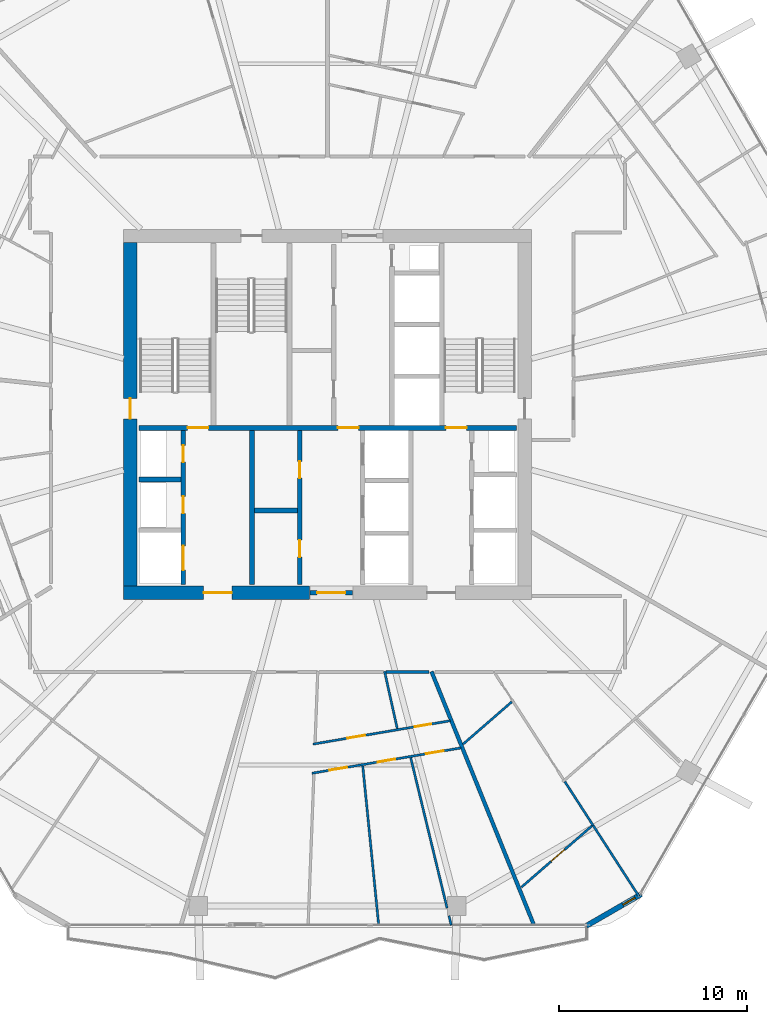
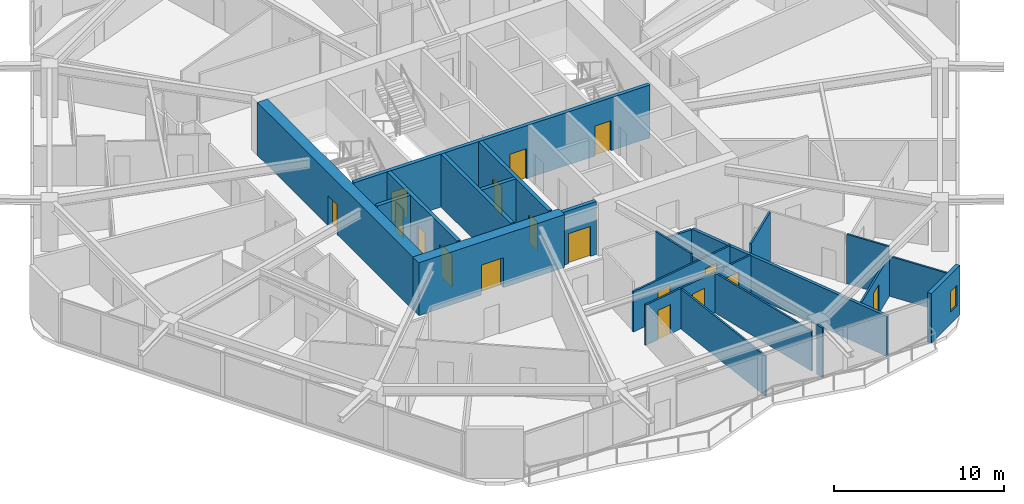
# One storey, part 18 of 25: 22 walls, 17 doors, 1 window, 18 openings.
"""IFC4 building model written with IfcOpenShell, lengths in metres."""

from ifc_helpers import new_model, si_unit, direction, frame, frame_2d, origin, place, context, subcontext, project, spatial, rectangle, extrude, material, layer, layer_set, type_object, element, fill, save


model = new_model("IFC4")

# Units and contexts
model_context = context("Model", 3, precision=1e-05, world=origin(), true_north=direction((0.0, 1.0)))
body_context = subcontext(model_context, "Body", "Model", "MODEL_VIEW")
ifc_project = project(units=[si_unit("LENGTHUNIT", "METRE"), si_unit("AREAUNIT", "SQUARE_METRE"), si_unit("VOLUMEUNIT", "CUBIC_METRE"), si_unit("PLANEANGLEUNIT", "RADIAN"), si_unit("MASSUNIT", "GRAM", prefix="KILO")], contexts=[model_context])

# Site, building, storey
site_placement = place(None, origin())
site = spatial("IfcSite", under=ifc_project, at=site_placement, CompositionType="ELEMENT")
building_placement = place(site_placement, origin())
building = spatial("IfcBuilding", under=site, at=building_placement, Name="Zuhravey Tower", CompositionType="ELEMENT")
storey_placement = place(building_placement, frame((0.0, 0.0, 150.39990234375)))
storey = spatial("IfcBuildingStorey", under=building, at=storey_placement, Name="L37", CompositionType="ELEMENT", Elevation=150.39990234375)

# Wall, opening, door
ifc_material_1 = material(Name="Concrete C60/75", Category="concrete")
ifc_layer_1 = layer(ifc_material_1, 0.699951171875)
ifc_layer_set_1 = layer_set([ifc_layer_1], Name="Concrete C60/75")
wall_type_1 = type_object("IfcWallType", Name="Core Shear Wall 700", PredefinedType="SHEAR", material=ifc_layer_set_1)
wall_1_placement = place(storey_placement, frame((25.14990234375, 22.5, 0.0), z_axis=(0.0, 0.0, 1.0), x_axis=(1.0, 0.0, 0.0)))
wall_1 = element("IfcWall", 1, at=wall_1_placement, inside=storey, type_object=wall_type_1, Name="L37 South-West Core Shear Wall CW70", PredefinedType="SHEAR", context=body_context, shape_type="SweptSolid", body=[
    extrude(rectangle(XDim=9.900146484375, YDim=0.699951171875, at=frame_2d((4.9501953125, 0.0))), origin(), (0.0, 0.0, 1.0), 3.800048828125),
])
opening_1_placement = place(wall_1_placement, frame((4.25, 0.0, 0.0)))
opening_1 = element("IfcOpeningElement", 2, at=opening_1_placement, cuts=wall_1, Name="Opening FFD1", PredefinedType="OPENING", context=body_context, shape_type="SweptSolid", body=[
    extrude(rectangle(XDim=1.5, YDim=2.14990234375, at=frame_2d((0.75, 1.074951171875))), frame((0.0, 0.362060546875, 0.0), z_axis=(0.0, -1.0, 0.0), x_axis=(1.0, 0.0, 0.0)), (0.0, 0.0, 1.0), 0.723876953125),
])
ifc_material_2 = material(Name="Galvanised fire-rated steel leaf", Category="steel")
door_type_1 = type_object("IfcDoorType", Name="Firefighting Lobby Double Door 1500x2150", OperationType="DOUBLE_DOOR_SINGLE_SWING", PredefinedType="DOOR", material=ifc_material_2)
door_1_placement = place(opening_1_placement, origin())
door_1 = element("IfcDoor", 3, at=door_1_placement, inside=storey, type_object=door_type_1, Name="L37 Firefighting Lobby West Door", OperationType="DOUBLE_DOOR_SINGLE_SWING", OverallHeight=2.14990234375, OverallWidth=1.5, PredefinedType="DOOR", context=body_context, shape_type="SweptSolid", body=[
    extrude(rectangle(XDim=1.5, YDim=2.14990234375, at=frame_2d((0.75, 1.074951171875))), frame((0.0, 0.02490234375, 0.0), z_axis=(0.0, -1.0, 0.0), x_axis=(1.0, 0.0, 0.0)), (0.0, 0.0, 1.0), 0.050048828125),
])
fill(opening_1, door_1)

wall_2_placement = place(storey_placement, frame((25.5, 22.85009765625, 0.0), z_axis=(0.0, 0.0, 1.0), x_axis=(0.0, 1.0, 0.0)))
wall_2 = element("IfcWall", 4, at=wall_2_placement, inside=storey, type_object=wall_type_1, Name="L37 West Core Shear Wall CW70", PredefinedType="SHEAR", context=body_context, shape_type="SweptSolid", body=[
    extrude(rectangle(XDim=18.2998046875, YDim=0.699951171875, at=frame_2d((9.14990234375, 0.0))), origin(), (0.0, 0.0, 1.0), 3.800048828125),
])
opening_2_placement = place(wall_2_placement, frame((8.89990234375, 0.0, 0.0)))
opening_2 = element("IfcOpeningElement", 5, at=opening_2_placement, cuts=wall_2, Name="Opening STD1", PredefinedType="OPENING", context=body_context, shape_type="SweptSolid", body=[
    extrude(rectangle(XDim=1.10009765625, YDim=2.14990234375, at=frame_2d((0.550048828125, 1.074951171875))), frame((0.0, 0.362060546875, 0.0), z_axis=(0.0, -1.0, 0.0), x_axis=(1.0, 0.0, 0.0)), (0.0, 0.0, 1.0), 0.723876953125),
])
door_type_2 = type_object("IfcDoorType", Name="Protected Stair Fire Door 1100x2150", OperationType="NOTDEFINED", PredefinedType="USERDEFINED", material=ifc_material_2)
door_2_placement = place(opening_2_placement, frame((1.10009765625, 0.0, 0.0), z_axis=(0.0, 0.0, 1.0), x_axis=(-1.0, 0.0, 0.0)))
door_2 = element("IfcDoor", 6, at=door_2_placement, inside=storey, type_object=door_type_2, Name="L37 Stair ST1 Door", ObjectType="EXITDOOR", OperationType="SINGLE_SWING_LEFT", OverallHeight=2.14990234375, OverallWidth=1.10009765625, PredefinedType="USERDEFINED", context=body_context, shape_type="SweptSolid", body=[
    extrude(rectangle(XDim=1.10009765625, YDim=2.14990234375, at=frame_2d((0.550048828125, 1.074951171875))), frame((0.0, 0.02490234375, 0.0), z_axis=(0.0, -1.0, 0.0), x_axis=(1.0, 0.0, 0.0)), (0.0, 0.0, 1.0), 0.050048828125),
])
fill(opening_2, door_2)

# Wall
ifc_material_3 = material(Name="Gypsum fire-rated stud partition")
ifc_layer_2 = layer(ifc_material_3, 0.159912109375)
ifc_layer_set_2 = layer_set([ifc_layer_2], Name="Gypsum fire-rated stud partition")
wall_type_2 = type_object("IfcWallType", Name="Corridor Fire Partition 160", PredefinedType="PARTITIONING", material=ifc_layer_set_2)
wall_3_placement = place(storey_placement, frame((39.114013671875, 18.27001953125, 0.0), z_axis=(0.0, 0.0, 1.0), x_axis=(1.0, 0.0, 0.0)))
element("IfcWall", 7, at=wall_3_placement, inside=storey, type_object=wall_type_2, Name="L37 IW16 Partition 128", PredefinedType="PARTITIONING", context=body_context, shape_type="SweptSolid", body=[
    extrude(rectangle(XDim=2.27294921875, YDim=0.159912109375, at=frame_2d((1.136474609375, 0.0))), origin(), (0.0, 0.0, 1.0), 2.900146484375),
])

# Wall, opening, window
ifc_material_4 = material(Name="Precast concrete C40/50", Category="concrete")
ifc_layer_3 = layer(ifc_material_4, 0.280029296875)
ifc_layer_set_3 = layer_set([ifc_layer_3], Name="Precast concrete C40/50")
wall_type_3 = type_object("IfcWallType", Name="Crown Architectural Wall 280", PredefinedType="SOLIDWALL", material=ifc_layer_set_3)
wall_4_placement = place(storey_placement, frame((52.693115234375, 6.451904296875, 0.0), z_axis=(0.0, 0.0, 1.0), x_axis=(-0.866020068361, -0.500009241111, 0.0)))
wall_4 = element("IfcWall", 8, at=wall_4_placement, inside=storey, type_object=wall_type_3, Name="L37 Rounded Corner Closure Wall EW28-02", PredefinedType="SOLIDWALL", context=body_context, shape_type="SweptSolid", body=[
    extrude(rectangle(XDim=3.365234375, YDim=0.280029296875, at=frame_2d((1.6826171875, 0.0))), origin(), (0.0, 0.0, 1.0), 3.550048828125),
])
opening_3_placement = place(wall_4_placement, frame((0.375244140625, 0.0, 0.85009765625)))
opening_3 = element("IfcOpeningElement", 9, at=opening_3_placement, cuts=wall_4, Name="Opening WN5", PredefinedType="OPENING", context=body_context, shape_type="SweptSolid", body=[
    extrude(rectangle(XDim=0.75, YDim=1.5, at=frame_2d((0.375, 0.75))), frame((0.0, 0.152099609375, 0.0), z_axis=(0.0, -1.0, 0.0), x_axis=(1.0, 0.0, 0.0)), (0.0, 0.0, 1.0), 0.303955078125),
])
ifc_material_5 = material(Name="Thermally broken aluminium and triple low-E glass", Category="aluminium")
window_type = type_object("IfcWindowType", Name="Residential Corner Casement Window 750x1500", PartitioningType="SINGLE_PANEL", PredefinedType="WINDOW", material=ifc_material_5)
window_placement = place(opening_3_placement, origin())
window = element("IfcWindow", 10, at=window_placement, inside=storey, type_object=window_type, Name="L37 Corner Casement Window WN5-02.1", OverallHeight=1.5, OverallWidth=0.75, PartitioningType="SINGLE_PANEL", PredefinedType="WINDOW", context=body_context, shape_type="SweptSolid", body=[
    extrude(rectangle(XDim=0.75, YDim=1.5, at=frame_2d((0.375, 0.75))), frame((0.0, 0.030029296875, 0.0), z_axis=(0.0, -1.0, 0.0), x_axis=(1.0, 0.0, 0.0)), (0.0, 0.0, 1.0), 0.06005859375),
])
fill(opening_3, window)

# Wall, opening, door
ifc_material_6 = material(Name="Concrete C50/60", Category="concrete")
ifc_layer_4 = layer(ifc_material_6, 0.25)
ifc_layer_set_4 = layer_set([ifc_layer_4], Name="Concrete C50/60")
wall_type_4 = type_object("IfcWallType", Name="Firefighting Shaft & Stair Wall 250", PredefinedType="SOLIDWALL", material=ifc_layer_set_4)
wall_5_placement = place(storey_placement, frame((35.06005859375, 22.5, 0.0), z_axis=(0.0, 0.0, 1.0), x_axis=(1.0, 0.0, 0.0)))
wall_5 = element("IfcWall", 11, at=wall_5_placement, inside=storey, type_object=wall_type_4, Name="L37 FW25 Shaft Wall 001", PredefinedType="SOLIDWALL", context=body_context, shape_type="SweptSolid", body=[
    extrude(rectangle(XDim=2.280029296875, YDim=0.25, at=frame_2d((1.14013671875, 0.0))), origin(), (0.0, 0.0, 1.0), 3.800048828125),
])
opening_4_placement = place(wall_5_placement, frame((0.389892578125, 0.0, 0.0)))
opening_4 = element("IfcOpeningElement", 12, at=opening_4_placement, cuts=wall_5, Name="Opening FFD1", PredefinedType="OPENING", context=body_context, shape_type="SweptSolid", body=[
    extrude(rectangle(XDim=1.5, YDim=2.14990234375, at=frame_2d((0.75, 1.074951171875))), frame((0.0, 0.136962890625, 0.0), z_axis=(0.0, -1.0, 0.0), x_axis=(1.0, 0.0, 0.0)), (0.0, 0.0, 1.0), 0.27392578125),
])
door_3_placement = place(opening_4_placement, frame((1.5, 0.0, 0.0), z_axis=(0.0, 0.0, 1.0), x_axis=(-1.0, 0.0, 0.0)))
door_3 = element("IfcDoor", 13, at=door_3_placement, inside=storey, type_object=door_type_1, Name="L37 South Lift Lobby Exit Door", OperationType="DOUBLE_DOOR_SINGLE_SWING", OverallHeight=2.14990234375, OverallWidth=1.5, PredefinedType="DOOR", context=body_context, shape_type="SweptSolid", body=[
    extrude(rectangle(XDim=1.5, YDim=2.14990234375, at=frame_2d((0.75, 1.074951171875))), frame((0.0, 0.02490234375, 0.0), z_axis=(0.0, -1.0, 0.0), x_axis=(1.0, 0.0, 0.0)), (0.0, 0.0, 1.0), 0.050048828125),
])
fill(opening_4, door_3)

# Wall, openings, doors
wall_6_placement = place(storey_placement, frame((25.949951171875, 31.27490234375, 0.0), z_axis=(0.0, 0.0, 1.0), x_axis=(1.0, 0.0, 0.0)))
wall_6 = element("IfcWall", 14, at=wall_6_placement, inside=storey, type_object=wall_type_4, Name="L37 FW25 Shaft Wall 003", PredefinedType="SOLIDWALL", context=body_context, shape_type="SweptSolid", body=[
    extrude(rectangle(XDim=20.10009765625, YDim=0.25, at=frame_2d((10.050048828125, 0.0))), origin(), (0.0, 0.0, 1.0), 3.800048828125),
])
opening_5_placement = place(wall_6_placement, frame((2.60009765625, 0.0, 0.0)))
opening_5 = element("IfcOpeningElement", 15, at=opening_5_placement, cuts=wall_6, Name="Opening STD1", PredefinedType="OPENING", context=body_context, shape_type="SweptSolid", body=[
    extrude(rectangle(XDim=1.10009765625, YDim=2.14990234375, at=frame_2d((0.550048828125, 1.074951171875))), frame((0.0, 0.136962890625, 0.0), z_axis=(0.0, -1.0, 0.0), x_axis=(1.0, 0.0, 0.0)), (0.0, 0.0, 1.0), 0.27392578125),
])
opening_6_placement = place(wall_6_placement, frame((10.60009765625, 0.0, 0.0)))
opening_6 = element("IfcOpeningElement", 16, at=opening_6_placement, cuts=wall_6, Name="Opening STD1", PredefinedType="OPENING", context=body_context, shape_type="SweptSolid", body=[
    extrude(rectangle(XDim=1.10009765625, YDim=2.14990234375, at=frame_2d((0.550048828125, 1.074951171875))), frame((0.0, 0.136962890625, 0.0), z_axis=(0.0, -1.0, 0.0), x_axis=(1.0, 0.0, 0.0)), (0.0, 0.0, 1.0), 0.27392578125),
])
opening_7_placement = place(wall_6_placement, frame((16.35009765625, 0.0, 0.0)))
opening_7 = element("IfcOpeningElement", 17, at=opening_7_placement, cuts=wall_6, Name="Opening STD1", PredefinedType="OPENING", context=body_context, shape_type="SweptSolid", body=[
    extrude(rectangle(XDim=1.10009765625, YDim=2.14990234375, at=frame_2d((0.550048828125, 1.074951171875))), frame((0.0, 0.136962890625, 0.0), z_axis=(0.0, -1.0, 0.0), x_axis=(1.0, 0.0, 0.0)), (0.0, 0.0, 1.0), 0.27392578125),
])
door_4_placement = place(opening_5_placement, origin())
door_4 = element("IfcDoor", 18, at=door_4_placement, inside=storey, type_object=door_type_2, Name="L37 FFL-W to ST1 Door", ObjectType="EXITDOOR", OperationType="SINGLE_SWING_RIGHT", OverallHeight=2.14990234375, OverallWidth=1.10009765625, PredefinedType="USERDEFINED", context=body_context, shape_type="SweptSolid", body=[
    extrude(rectangle(XDim=1.10009765625, YDim=2.14990234375, at=frame_2d((0.550048828125, 1.074951171875))), frame((0.0, 0.02490234375, 0.0), z_axis=(0.0, -1.0, 0.0), x_axis=(1.0, 0.0, 0.0)), (0.0, 0.0, 1.0), 0.050048828125),
])
fill(opening_5, door_4)
door_5_placement = place(opening_6_placement, origin())
door_5 = element("IfcDoor", 19, at=door_5_placement, inside=storey, type_object=door_type_2, Name="L37 Core Lobby Link Door", ObjectType="EXITDOOR", OperationType="SINGLE_SWING_LEFT", OverallHeight=2.14990234375, OverallWidth=1.10009765625, PredefinedType="USERDEFINED", context=body_context, shape_type="SweptSolid", body=[
    extrude(rectangle(XDim=1.10009765625, YDim=2.14990234375, at=frame_2d((0.550048828125, 1.074951171875))), frame((0.0, 0.02490234375, 0.0), z_axis=(0.0, -1.0, 0.0), x_axis=(1.0, 0.0, 0.0)), (0.0, 0.0, 1.0), 0.050048828125),
])
fill(opening_6, door_5)
door_6_placement = place(opening_7_placement, origin())
door_6 = element("IfcDoor", 20, at=door_6_placement, inside=storey, type_object=door_type_2, Name="L37 FFL-E to ST2 Door", ObjectType="EXITDOOR", OperationType="SINGLE_SWING_RIGHT", OverallHeight=2.14990234375, OverallWidth=1.10009765625, PredefinedType="USERDEFINED", context=body_context, shape_type="SweptSolid", body=[
    extrude(rectangle(XDim=1.10009765625, YDim=2.14990234375, at=frame_2d((0.550048828125, 1.074951171875))), frame((0.0, 0.02490234375, 0.0), z_axis=(0.0, -1.0, 0.0), x_axis=(1.0, 0.0, 0.0)), (0.0, 0.0, 1.0), 0.050048828125),
])
fill(opening_7, door_6)

# Wall
wall_7_placement = place(storey_placement, frame((25.949951171875, 28.52490234375, 0.0), z_axis=(0.0, 0.0, 1.0), x_axis=(1.0, 0.0, 0.0)))
element("IfcWall", 21, at=wall_7_placement, inside=storey, type_object=wall_type_4, Name="L37 FW25 Shaft Wall 010", PredefinedType="SOLIDWALL", context=body_context, shape_type="SweptSolid", body=[
    extrude(rectangle(XDim=2.25, YDim=0.25, at=frame_2d((1.125, 0.0))), origin(), (0.0, 0.0, 1.0), 3.800048828125),
])

# Wall, openings, doors
wall_8_placement = place(storey_placement, frame((28.324951171875, 22.949951171875, 0.0), z_axis=(0.0, 0.0, 1.0), x_axis=(0.0, 1.0, 0.0)))
wall_8 = element("IfcWall", 22, at=wall_8_placement, inside=storey, type_object=wall_type_4, Name="L37 FW25 Shaft Wall 011", PredefinedType="SOLIDWALL", context=body_context, shape_type="SweptSolid", body=[
    extrude(rectangle(XDim=8.199951171875, YDim=0.25, at=frame_2d((4.10009765625, 0.0))), origin(), (0.0, 0.0, 1.0), 3.800048828125),
])
opening_8_placement = place(wall_8_placement, frame((0.75, 0.0, 0.0)))
opening_8 = element("IfcOpeningElement", 23, at=opening_8_placement, cuts=wall_8, Name="Opening LD2", PredefinedType="OPENING", context=body_context, shape_type="SweptSolid", body=[
    extrude(rectangle(XDim=1.300048828125, YDim=2.300048828125, at=frame_2d((0.64990234375, 1.14990234375))), frame((0.0, 0.136962890625, 0.0), z_axis=(0.0, -1.0, 0.0), x_axis=(1.0, 0.0, 0.0)), (0.0, 0.0, 1.0), 0.27392578125),
])
opening_9_placement = place(wall_8_placement, frame((3.780029296875, 0.0, 0.0)))
opening_9 = element("IfcOpeningElement", 24, at=opening_9_placement, cuts=wall_8, Name="Opening RSD1", PredefinedType="OPENING", context=body_context, shape_type="SweptSolid", body=[
    extrude(rectangle(XDim=0.89990234375, YDim=2.10009765625, at=frame_2d((0.449951171875, 1.050048828125))), frame((0.0, 0.136962890625, 0.0), z_axis=(0.0, -1.0, 0.0), x_axis=(1.0, 0.0, 0.0)), (0.0, 0.0, 1.0), 0.27392578125),
])
opening_10_placement = place(wall_8_placement, frame((6.5, 0.0, 0.0)))
opening_10 = element("IfcOpeningElement", 25, at=opening_10_placement, cuts=wall_8, Name="Opening RSD1", PredefinedType="OPENING", context=body_context, shape_type="SweptSolid", body=[
    extrude(rectangle(XDim=0.89990234375, YDim=2.10009765625, at=frame_2d((0.449951171875, 1.050048828125))), frame((0.0, 0.136962890625, 0.0), z_axis=(0.0, -1.0, 0.0), x_axis=(1.0, 0.0, 0.0)), (0.0, 0.0, 1.0), 0.27392578125),
])
ifc_material_7 = material(Name="Brushed stainless steel", Category="steel")
door_type_3 = type_object("IfcDoorType", Name="Freight & Stretcher Lift Sliding Door 1300x2300", OperationType="DOUBLE_DOOR_SLIDING", PredefinedType="DOOR", material=ifc_material_7)
door_7_placement = place(opening_8_placement, frame((1.300048828125, 0.0, 0.0), z_axis=(0.0, 0.0, 1.0), x_axis=(-1.0, 0.0, 0.0)))
door_7 = element("IfcDoor", 26, at=door_7_placement, inside=storey, type_object=door_type_3, Name="L37 Lift FF1 Landing Door", OperationType="DOUBLE_DOOR_SLIDING", OverallHeight=2.300048828125, OverallWidth=1.300048828125, PredefinedType="DOOR", context=body_context, shape_type="SweptSolid", body=[
    extrude(rectangle(XDim=1.300048828125, YDim=2.300048828125, at=frame_2d((0.64990234375, 1.14990234375))), frame((0.0, 0.02490234375, 0.0), z_axis=(0.0, -1.0, 0.0), x_axis=(1.0, 0.0, 0.0)), (0.0, 0.0, 1.0), 0.050048828125),
])
fill(opening_8, door_7)
ifc_material_8 = material(Name="Galvanised fire-rated steel access leaf", Category="steel")
door_type_4 = type_object("IfcDoorType", Name="Riser & Shaft Access Fire Door 900x2100", OperationType="NOTDEFINED", PredefinedType="DOOR", material=ifc_material_8)
door_8_placement = place(opening_9_placement, frame((0.89990234375, 0.0, 0.0), z_axis=(0.0, 0.0, 1.0), x_axis=(-1.0, 0.0, 0.0)))
door_8 = element("IfcDoor", 27, at=door_8_placement, inside=storey, type_object=door_type_4, Name="L37 Electrical Riser Door", OperationType="SINGLE_SWING_RIGHT", OverallHeight=2.10009765625, OverallWidth=0.89990234375, PredefinedType="DOOR", context=body_context, shape_type="SweptSolid", body=[
    extrude(rectangle(XDim=0.89990234375, YDim=2.10009765625, at=frame_2d((0.449951171875, 1.050048828125))), frame((0.0, 0.02490234375, 0.0), z_axis=(0.0, -1.0, 0.0), x_axis=(1.0, 0.0, 0.0)), (0.0, 0.0, 1.0), 0.050048828125),
])
fill(opening_9, door_8)
door_9_placement = place(opening_10_placement, frame((0.89990234375, 0.0, 0.0), z_axis=(0.0, 0.0, 1.0), x_axis=(-1.0, 0.0, 0.0)))
door_9 = element("IfcDoor", 28, at=door_9_placement, inside=storey, type_object=door_type_4, Name="L37 Smoke Shaft Access Door", OperationType="SINGLE_SWING_LEFT", OverallHeight=2.10009765625, OverallWidth=0.89990234375, PredefinedType="DOOR", context=body_context, shape_type="SweptSolid", body=[
    extrude(rectangle(XDim=0.89990234375, YDim=2.10009765625, at=frame_2d((0.449951171875, 1.050048828125))), frame((0.0, 0.02490234375, 0.0), z_axis=(0.0, -1.0, 0.0), x_axis=(1.0, 0.0, 0.0)), (0.0, 0.0, 1.0), 0.050048828125),
])
fill(opening_10, door_9)

# Walls
wall_9_placement = place(storey_placement, frame((31.97509765625, 22.949951171875, 0.0), z_axis=(0.0, 0.0, 1.0), x_axis=(0.0, 1.0, 0.0)))
element("IfcWall", 29, at=wall_9_placement, inside=storey, type_object=wall_type_4, Name="L37 FW25 Shaft Wall 012", PredefinedType="SOLIDWALL", context=body_context, shape_type="SweptSolid", body=[
    extrude(rectangle(XDim=8.199951171875, YDim=0.25, at=frame_2d((4.10009765625, 0.0))), origin(), (0.0, 0.0, 1.0), 3.800048828125),
])
wall_10_placement = place(storey_placement, frame((32.10009765625, 26.875, 0.0), z_axis=(0.0, 0.0, 1.0), x_axis=(1.0, 0.0, 0.0)))
element("IfcWall", 30, at=wall_10_placement, inside=storey, type_object=wall_type_4, Name="L37 FW25 Shaft Wall 013", PredefinedType="SOLIDWALL", context=body_context, shape_type="SweptSolid", body=[
    extrude(rectangle(XDim=2.2998046875, YDim=0.25, at=frame_2d((1.14990234375, 0.0))), origin(), (0.0, 0.0, 1.0), 3.800048828125),
])

# Wall, openings, doors
wall_11_placement = place(storey_placement, frame((34.52490234375, 22.949951171875, 0.0), z_axis=(0.0, 0.0, 1.0), x_axis=(0.0, 1.0, 0.0)))
wall_11 = element("IfcWall", 31, at=wall_11_placement, inside=storey, type_object=wall_type_4, Name="L37 FW25 Shaft Wall 014", PredefinedType="SOLIDWALL", context=body_context, shape_type="SweptSolid", body=[
    extrude(rectangle(XDim=8.199951171875, YDim=0.25, at=frame_2d((4.10009765625, 0.0))), origin(), (0.0, 0.0, 1.0), 3.800048828125),
])
opening_11_placement = place(wall_11_placement, frame((1.449951171875, 0.0, 0.0)))
opening_11 = element("IfcOpeningElement", 32, at=opening_11_placement, cuts=wall_11, Name="Opening RSD1", PredefinedType="OPENING", context=body_context, shape_type="SweptSolid", body=[
    extrude(rectangle(XDim=0.89990234375, YDim=2.10009765625, at=frame_2d((0.449951171875, 1.050048828125))), frame((0.0, 0.136962890625, 0.0), z_axis=(0.0, -1.0, 0.0), x_axis=(1.0, 0.0, 0.0)), (0.0, 0.0, 1.0), 0.27392578125),
])
opening_12_placement = place(wall_11_placement, frame((5.64990234375, 0.0, 0.0)))
opening_12 = element("IfcOpeningElement", 33, at=opening_12_placement, cuts=wall_11, Name="Opening RSD1", PredefinedType="OPENING", context=body_context, shape_type="SweptSolid", body=[
    extrude(rectangle(XDim=0.89990234375, YDim=2.10009765625, at=frame_2d((0.449951171875, 1.050048828125))), frame((0.0, 0.136962890625, 0.0), z_axis=(0.0, -1.0, 0.0), x_axis=(1.0, 0.0, 0.0)), (0.0, 0.0, 1.0), 0.27392578125),
])
door_10_placement = place(opening_11_placement, origin())
door_10 = element("IfcDoor", 34, at=door_10_placement, inside=storey, type_object=door_type_4, Name="L37 Housekeeping and Linen Room Door", OperationType="SINGLE_SWING_RIGHT", OverallHeight=2.10009765625, OverallWidth=0.89990234375, PredefinedType="DOOR", context=body_context, shape_type="SweptSolid", body=[
    extrude(rectangle(XDim=0.89990234375, YDim=2.10009765625, at=frame_2d((0.449951171875, 1.050048828125))), frame((0.0, 0.02490234375, 0.0), z_axis=(0.0, -1.0, 0.0), x_axis=(1.0, 0.0, 0.0)), (0.0, 0.0, 1.0), 0.050048828125),
])
fill(opening_11, door_10)
door_11_placement = place(opening_12_placement, origin())
door_11 = element("IfcDoor", 35, at=door_11_placement, inside=storey, type_object=door_type_4, Name="L37 Telecoms Switch Closet Door", OperationType="SINGLE_SWING_LEFT", OverallHeight=2.10009765625, OverallWidth=0.89990234375, PredefinedType="DOOR", context=body_context, shape_type="SweptSolid", body=[
    extrude(rectangle(XDim=0.89990234375, YDim=2.10009765625, at=frame_2d((0.449951171875, 1.050048828125))), frame((0.0, 0.02490234375, 0.0), z_axis=(0.0, -1.0, 0.0), x_axis=(1.0, 0.0, 0.0)), (0.0, 0.0, 1.0), 0.050048828125),
])
fill(opening_12, door_11)

# Wall
ifc_material_9 = material(Name="Gypsum double-stud party assembly")
ifc_layer_5 = layer(ifc_material_9, 0.199951171875)
ifc_layer_set_5 = layer_set([ifc_layer_5], Name="Gypsum double-stud party assembly")
wall_type_5 = type_object("IfcWallType", Name="Inter-Tenancy Party Wall 200", PredefinedType="PARTITIONING", material=ifc_layer_set_5)
wall_12_placement = place(storey_placement, frame((41.531005859375, 18.31005859375, 0.0), z_axis=(0.0, 0.0, 1.0), x_axis=(0.374610610646, -0.92718223149, 0.0)))
element("IfcWall", 36, at=wall_12_placement, inside=storey, type_object=wall_type_5, Name="L37 IW20 Partition 105", PredefinedType="PARTITIONING", context=body_context, shape_type="SweptSolid", body=[
    extrude(rectangle(XDim=14.552978515625, YDim=0.199951171875, at=frame_2d((7.2763671875, 0.0))), origin(), (0.0, 0.0, 1.0), 2.8701171875),
])

# Wall, openings, doors
ifc_material_10 = material(Name="Gypsum metal-stud partition")
ifc_layer_6 = layer(ifc_material_10, 0.1201171875)
ifc_layer_set_6 = layer_set([ifc_layer_6], Name="Gypsum metal-stud partition")
wall_type_6 = type_object("IfcWallType", Name="Unit Internal Partition 120", PredefinedType="PARTITIONING", material=ifc_layer_set_6)
wall_13_placement = place(storey_placement, frame((35.231689453125, 14.444091796875, 0.0), z_axis=(0.0, 0.0, 1.0), x_axis=(0.985819661596, 0.167808208412, 0.0)))
wall_13 = element("IfcWall", 37, at=wall_13_placement, inside=storey, type_object=wall_type_6, Name="L37 IW12 Partition 046", PredefinedType="PARTITIONING", context=body_context, shape_type="SweptSolid", body=[
    extrude(rectangle(XDim=7.40673828125, YDim=0.1201171875, at=frame_2d((3.703369140625, 0.0))), origin(), (0.0, 0.0, 1.0), 2.900146484375),
])
opening_13_placement = place(wall_13_placement, frame((1.85400390625, 0.0, 0.0)))
opening_13 = element("IfcOpeningElement", 38, at=opening_13_placement, cuts=wall_13, Name="Opening IND1", PredefinedType="OPENING", context=body_context, shape_type="SweptSolid", body=[
    extrude(rectangle(XDim=0.949951171875, YDim=2.10009765625, at=frame_2d((0.47509765625, 1.050048828125))), frame((0.0, 0.072021484375, 0.0), z_axis=(0.0, -1.0, 0.0), x_axis=(1.0, 0.0, 0.0)), (0.0, 0.0, 1.0), 0.14404296875),
])
opening_14_placement = place(wall_13_placement, frame((5.480224609375, 0.0, 0.0)))
opening_14 = element("IfcOpeningElement", 39, at=opening_14_placement, cuts=wall_13, Name="Opening WCD1", PredefinedType="OPENING", context=body_context, shape_type="SweptSolid", body=[
    extrude(rectangle(XDim=0.89990234375, YDim=2.10009765625, at=frame_2d((0.449951171875, 1.050048828125))), frame((0.0, 0.072021484375, 0.0), z_axis=(0.0, -1.0, 0.0), x_axis=(1.0, 0.0, 0.0)), (0.0, 0.0, 1.0), 0.14404296875),
])
ifc_material_11 = material(Name="Moisture-resistant timber leaf", Category="wood")
door_type_5 = type_object("IfcDoorType", Name="Bathroom & WC Internal Door 900x2100", OperationType="NOTDEFINED", PredefinedType="DOOR", material=ifc_material_11)
door_12_placement = place(opening_14_placement, origin())
door_12 = element("IfcDoor", 40, at=door_12_placement, inside=storey, type_object=door_type_5, Name="Apartment L37-07 Bathroom Door", OperationType="SINGLE_SWING_RIGHT", OverallHeight=2.10009765625, OverallWidth=0.89990234375, PredefinedType="DOOR", context=body_context, shape_type="SweptSolid", body=[
    extrude(rectangle(XDim=0.89990234375, YDim=2.10009765625, at=frame_2d((0.449951171875, 1.050048828125))), frame((0.0, 0.02490234375, 0.0), z_axis=(0.0, -1.0, 0.0), x_axis=(1.0, 0.0, 0.0)), (0.0, 0.0, 1.0), 0.050048828125),
])
fill(opening_14, door_12)
ifc_material_12 = material(Name="Painted engineered timber leaf", Category="wood")
door_type_6 = type_object("IfcDoorType", Name="Internal Room & Bedroom Door 950x2100", OperationType="NOTDEFINED", PredefinedType="DOOR", material=ifc_material_12)
door_13_placement = place(opening_13_placement, origin())
door_13 = element("IfcDoor", 41, at=door_13_placement, inside=storey, type_object=door_type_6, Name="Apartment L37-07 Kitchen Door", OperationType="SINGLE_SWING_LEFT", OverallHeight=2.10009765625, OverallWidth=0.949951171875, PredefinedType="DOOR", context=body_context, shape_type="SweptSolid", body=[
    extrude(rectangle(XDim=0.949951171875, YDim=2.10009765625, at=frame_2d((0.47509765625, 1.050048828125))), frame((0.0, 0.02490234375, 0.0), z_axis=(0.0, -1.0, 0.0), x_axis=(1.0, 0.0, 0.0)), (0.0, 0.0, 1.0), 0.050048828125),
])
fill(opening_13, door_13)

wall_14_placement = place(storey_placement, frame((35.172607421875, 12.89208984375, 0.0), z_axis=(0.0, 0.0, 1.0), x_axis=(0.985819567417, 0.167808761684, 0.0)))
wall_14 = element("IfcWall", 42, at=wall_14_placement, inside=storey, type_object=wall_type_6, Name="L37 IW12 Partition 047", PredefinedType="PARTITIONING", context=body_context, shape_type="SweptSolid", body=[
    extrude(rectangle(XDim=8.0439453125, YDim=0.1201171875, at=frame_2d((4.02197265625, 0.0))), origin(), (0.0, 0.0, 1.0), 2.900146484375),
])
opening_15_placement = place(wall_14_placement, frame((0.94091796875, 0.0, 0.0)))
opening_15 = element("IfcOpeningElement", 43, at=opening_15_placement, cuts=wall_14, Name="Opening IND1", PredefinedType="OPENING", context=body_context, shape_type="SweptSolid", body=[
    extrude(rectangle(XDim=0.949951171875, YDim=2.10009765625, at=frame_2d((0.47509765625, 1.050048828125))), frame((0.0, 0.072021484375, 0.0), z_axis=(0.0, -1.0, 0.0), x_axis=(1.0, 0.0, 0.0)), (0.0, 0.0, 1.0), 0.14404296875),
])
opening_16_placement = place(wall_14_placement, frame((3.547119140625, 0.0, 0.0)))
opening_16 = element("IfcOpeningElement", 44, at=opening_16_placement, cuts=wall_14, Name="Opening IND1", PredefinedType="OPENING", context=body_context, shape_type="SweptSolid", body=[
    extrude(rectangle(XDim=0.949951171875, YDim=2.10009765625, at=frame_2d((0.47509765625, 1.050048828125))), frame((0.0, 0.072021484375, 0.0), z_axis=(0.0, -1.0, 0.0), x_axis=(1.0, 0.0, 0.0)), (0.0, 0.0, 1.0), 0.14404296875),
])
opening_17_placement = place(wall_14_placement, frame((6.153076171875, 0.0, 0.0)))
opening_17 = element("IfcOpeningElement", 45, at=opening_17_placement, cuts=wall_14, Name="Opening IND1", PredefinedType="OPENING", context=body_context, shape_type="SweptSolid", body=[
    extrude(rectangle(XDim=0.949951171875, YDim=2.10009765625, at=frame_2d((0.47509765625, 1.050048828125))), frame((0.0, 0.072021484375, 0.0), z_axis=(0.0, -1.0, 0.0), x_axis=(1.0, 0.0, 0.0)), (0.0, 0.0, 1.0), 0.14404296875),
])
door_14_placement = place(opening_15_placement, frame((0.949951171875, 0.0, 0.0), z_axis=(0.0, 0.0, 1.0), x_axis=(-1.0, 0.0, 0.0)))
door_14 = element("IfcDoor", 46, at=door_14_placement, inside=storey, type_object=door_type_6, Name="Apartment L37-07 Bedroom 1 Door", OperationType="SINGLE_SWING_LEFT", OverallHeight=2.10009765625, OverallWidth=0.949951171875, PredefinedType="DOOR", context=body_context, shape_type="SweptSolid", body=[
    extrude(rectangle(XDim=0.949951171875, YDim=2.10009765625, at=frame_2d((0.47509765625, 1.050048828125))), frame((0.0, 0.02490234375, 0.0), z_axis=(0.0, -1.0, 0.0), x_axis=(1.0, 0.0, 0.0)), (0.0, 0.0, 1.0), 0.050048828125),
])
fill(opening_15, door_14)
door_15_placement = place(opening_16_placement, frame((0.949951171875, 0.0, 0.0), z_axis=(0.0, 0.0, 1.0), x_axis=(-1.0, 0.0, 0.0)))
door_15 = element("IfcDoor", 47, at=door_15_placement, inside=storey, type_object=door_type_6, Name="Apartment L37-07 Bedroom 2 Door", OperationType="SINGLE_SWING_RIGHT", OverallHeight=2.10009765625, OverallWidth=0.949951171875, PredefinedType="DOOR", context=body_context, shape_type="SweptSolid", body=[
    extrude(rectangle(XDim=0.949951171875, YDim=2.10009765625, at=frame_2d((0.47509765625, 1.050048828125))), frame((0.0, 0.02490234375, 0.0), z_axis=(0.0, -1.0, 0.0), x_axis=(1.0, 0.0, 0.0)), (0.0, 0.0, 1.0), 0.050048828125),
])
fill(opening_16, door_15)
door_16_placement = place(opening_17_placement, frame((0.949951171875, 0.0, 0.0), z_axis=(0.0, 0.0, 1.0), x_axis=(-1.0, 0.0, 0.0)))
door_16 = element("IfcDoor", 48, at=door_16_placement, inside=storey, type_object=door_type_6, Name="Apartment L37-07 Bedroom 3 Door", OperationType="SINGLE_SWING_LEFT", OverallHeight=2.10009765625, OverallWidth=0.949951171875, PredefinedType="DOOR", context=body_context, shape_type="SweptSolid", body=[
    extrude(rectangle(XDim=0.949951171875, YDim=2.10009765625, at=frame_2d((0.47509765625, 1.050048828125))), frame((0.0, 0.02490234375, 0.0), z_axis=(0.0, -1.0, 0.0), x_axis=(1.0, 0.0, 0.0)), (0.0, 0.0, 1.0), 0.050048828125),
])
fill(opening_17, door_16)

# Wall
wall_15_placement = place(storey_placement, frame((48.630126953125, 12.447021484375, 0.0), z_axis=(0.0, 0.0, 1.0), x_axis=(0.5425590103, -0.840017690494, 0.0)))
element("IfcWall", 49, at=wall_15_placement, inside=storey, type_object=wall_type_6, Name="L37 IW12 Partition 052", PredefinedType="PARTITIONING", context=body_context, shape_type="SweptSolid", body=[
    extrude(rectangle(XDim=2.779052734375, YDim=0.1201171875, at=frame_2d((1.3896484375, 0.0))), origin(), (0.0, 0.0, 1.0), 3.550048828125),
])

# Wall, opening, door
wall_16_placement = place(storey_placement, frame((46.319091796875, 6.825927734375, 0.0), z_axis=(0.0, 0.0, 1.0), x_axis=(0.754719650471, 0.656047444315, 0.0)))
wall_16 = element("IfcWall", 50, at=wall_16_placement, inside=storey, type_object=wall_type_6, Name="L37 IW12 Partition 053", PredefinedType="PARTITIONING", context=body_context, shape_type="SweptSolid", body=[
    extrude(rectangle(XDim=4.97314453125, YDim=0.1201171875, at=frame_2d((2.486572265625, 0.0))), origin(), (0.0, 0.0, 1.0), 2.8701171875),
])
opening_18_placement = place(wall_16_placement, frame((2.096435546875, 0.0, 0.0)))
opening_18 = element("IfcOpeningElement", 51, at=opening_18_placement, cuts=wall_16, Name="Opening IND1", PredefinedType="OPENING", context=body_context, shape_type="SweptSolid", body=[
    extrude(rectangle(XDim=0.949951171875, YDim=2.10009765625, at=frame_2d((0.47509765625, 1.050048828125))), frame((0.0, 0.072021484375, 0.0), z_axis=(0.0, -1.0, 0.0), x_axis=(1.0, 0.0, 0.0)), (0.0, 0.0, 1.0), 0.14404296875),
])
door_17_placement = place(opening_18_placement, frame((0.949951171875, 0.0, 0.0), z_axis=(0.0, 0.0, 1.0), x_axis=(-1.0, 0.0, 0.0)))
door_17 = element("IfcDoor", 52, at=door_17_placement, inside=storey, type_object=door_type_6, Name="Apartment L37-08 Bedroom 1 Door", OperationType="SINGLE_SWING_LEFT", OverallHeight=2.10009765625, OverallWidth=0.949951171875, PredefinedType="DOOR", context=body_context, shape_type="SweptSolid", body=[
    extrude(rectangle(XDim=0.949951171875, YDim=2.10009765625, at=frame_2d((0.47509765625, 1.050048828125))), frame((0.0, 0.02490234375, 0.0), z_axis=(0.0, -1.0, 0.0), x_axis=(1.0, 0.0, 0.0)), (0.0, 0.0, 1.0), 0.050048828125),
])
fill(opening_18, door_17)

# Walls
wall_17_placement = place(storey_placement, frame((39.033203125, 18.320068359375, 0.0), z_axis=(0.0, 0.0, 1.0), x_axis=(0.216516027093, -0.976279063594, 0.0)))
element("IfcWall", 53, at=wall_17_placement, inside=storey, type_object=wall_type_6, Name="L37 IW12 Partition 099", PredefinedType="PARTITIONING", context=body_context, shape_type="SweptSolid", body=[
    extrude(rectangle(XDim=3.118896484375, YDim=0.1201171875, at=frame_2d((1.5595703125, 0.0))), origin(), (0.0, 0.0, 1.0), 3.550048828125),
])
wall_18_placement = place(storey_placement, frame((37.87255859375, 13.28271484375, 0.0), z_axis=(0.0, 0.0, 1.0), x_axis=(0.099568986872, -0.995030661263, 0.0)))
element("IfcWall", 54, at=wall_18_placement, inside=storey, type_object=wall_type_6, Name="L37 IW12 Partition 100", PredefinedType="PARTITIONING", context=body_context, shape_type="SweptSolid", body=[
    extrude(rectangle(XDim=8.51806640625, YDim=0.1201171875, at=frame_2d((4.259033203125, 0.0))), origin(), (0.0, 0.0, 1.0), 2.8701171875),
])
wall_19_placement = place(storey_placement, frame((40.42529296875, 13.71728515625, 0.0), z_axis=(0.0, 0.0, 1.0), x_axis=(0.235264736648, -0.971931326633, 0.0)))
element("IfcWall", 55, at=wall_19_placement, inside=storey, type_object=wall_type_6, Name="L37 IW12 Partition 101", PredefinedType="PARTITIONING", context=body_context, shape_type="SweptSolid", body=[
    extrude(rectangle(XDim=8.232177734375, YDim=0.1201171875, at=frame_2d((4.1162109375, 0.0))), origin(), (0.0, 0.0, 1.0), 2.8701171875),
])
wall_20_placement = place(storey_placement, frame((42.4609375, 5.306884765625, 0.0), z_axis=(0.0, 0.0, 1.0), x_axis=(0.23538270084, -0.971902764759, 0.0)))
element("IfcWall", 56, at=wall_20_placement, inside=storey, type_object=wall_type_6, Name="L37 IW12 Partition 102", PredefinedType="PARTITIONING", context=body_context, shape_type="SweptSolid", body=[
    extrude(rectangle(XDim=0.514404296875, YDim=0.1201171875, at=frame_2d((0.25732421875, 0.0))), origin(), (0.0, 0.0, 1.0), 3.550048828125),
])
wall_21_placement = place(storey_placement, frame((50.137939453125, 10.112548828125, 0.0), z_axis=(0.0, 0.0, 1.0), x_axis=(0.54259903081, -0.839991840296, 0.0)))
element("IfcWall", 57, at=wall_21_placement, inside=storey, type_object=wall_type_6, Name="L37 IW12 Partition 108", PredefinedType="PARTITIONING", context=body_context, shape_type="SweptSolid", body=[
    extrude(rectangle(XDim=4.486328125, YDim=0.1201171875, at=frame_2d((2.2431640625, 0.0))), origin(), (0.0, 0.0, 1.0), 2.8701171875),
])
wall_22_placement = place(storey_placement, frame((43.211669921875, 14.438720703125, 0.0), z_axis=(0.0, 0.0, 1.0), x_axis=(0.754711017703, 0.656057375355, 0.0)))
element("IfcWall", 58, at=wall_22_placement, inside=storey, type_object=wall_type_6, Name="L37 IW12 Partition 109", PredefinedType="PARTITIONING", context=body_context, shape_type="SweptSolid", body=[
    extrude(rectangle(XDim=3.4375, YDim=0.1201171875, at=frame_2d((1.71875, 0.0))), origin(), (0.0, 0.0, 1.0), 3.550048828125),
])

save(model, "model.ifc")
